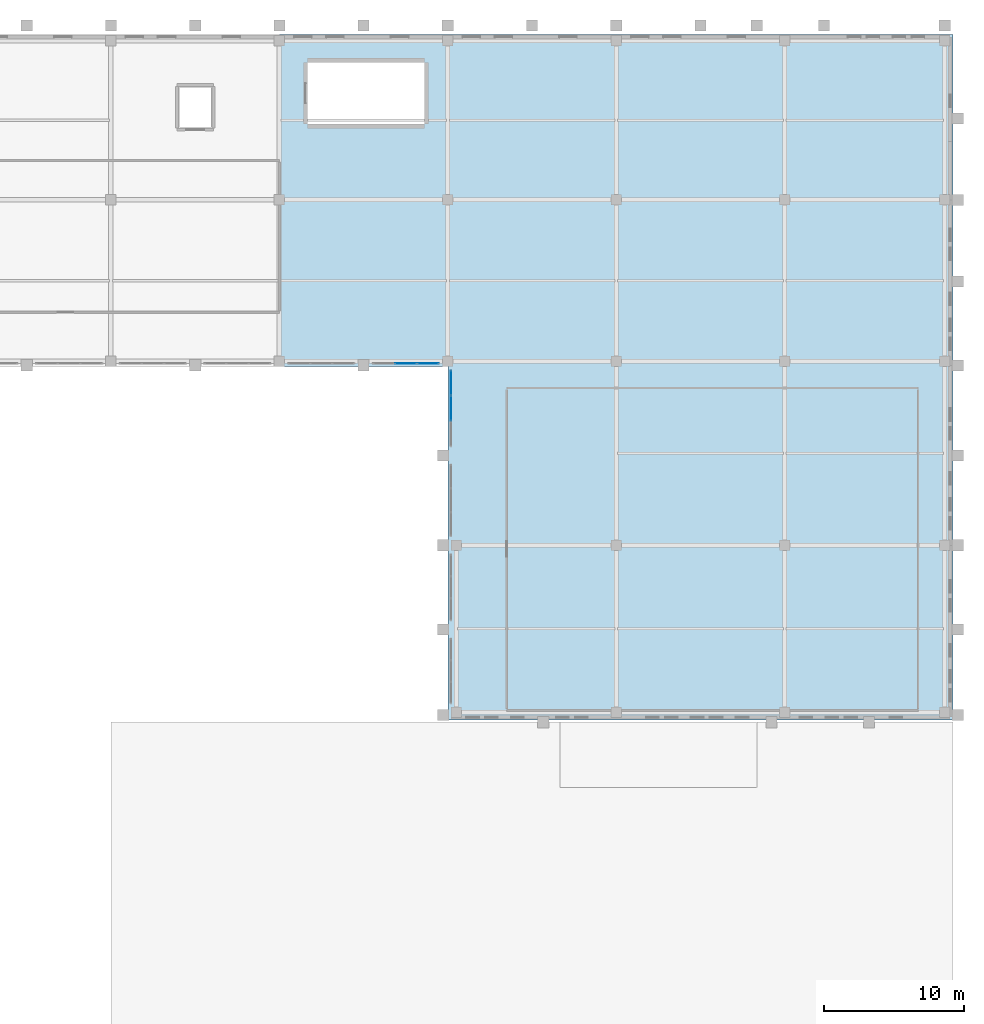
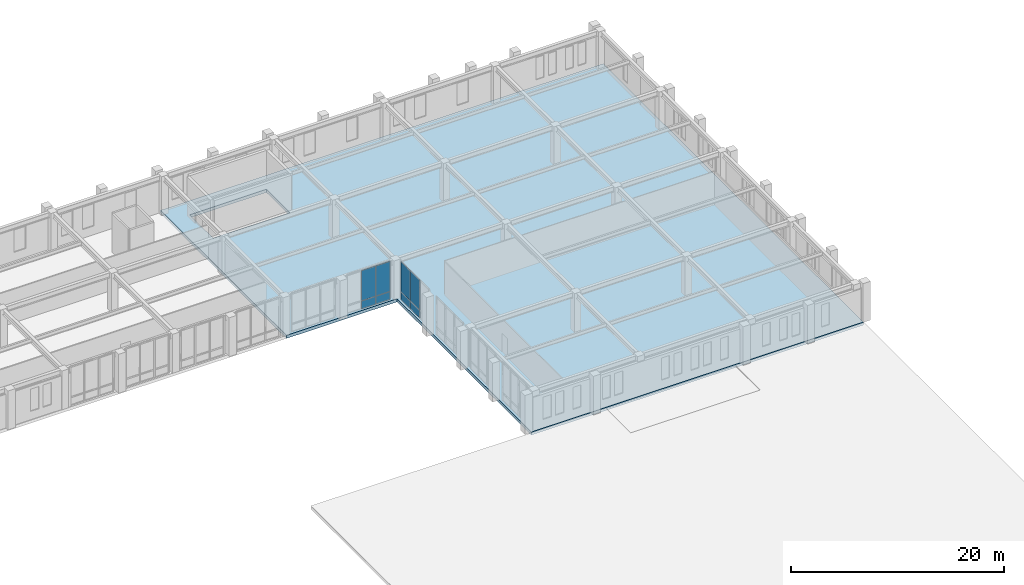
# One storey, part 51 of 79: 8 plates, 1 slab, 2 elements without a shape of their own.
"""IFC4 building model written with IfcOpenShell, lengths in metres."""

from ifc_helpers import new_model, si_unit, derived_unit, direction, frame, origin, origin_2d, place, context, subcontext, project, spatial, polyline, rectangle, outline, extrude, material, layer, layer_set, type_object, element, aggregate, save


model = new_model("IFC4")

# Units and contexts
model_context = context("Model", 3, precision=1e-05, world=origin(), true_north=direction((0.0, 1.0)))
body_context = subcontext(model_context, "Body", "Model", "MODEL_VIEW")
ifc_project = project(units=[si_unit("LENGTHUNIT", "METRE"), si_unit("AREAUNIT", "SQUARE_METRE"), si_unit("VOLUMEUNIT", "CUBIC_METRE"), si_unit("PLANEANGLEUNIT", "RADIAN"), si_unit("MASSUNIT", "GRAM", prefix="KILO"), derived_unit("THERMALTRANSMITTANCEUNIT", [(si_unit("MASSUNIT", "GRAM", prefix="KILO"), 1), (si_unit("TIMEUNIT", "SECOND"), -3), (si_unit("THERMODYNAMICTEMPERATUREUNIT", "KELVIN"), -1)])], contexts=[model_context])

# Site, building, storey
site_placement = place(None, origin())
site = spatial("IfcSite", under=ifc_project, at=site_placement, CompositionType="ELEMENT")
building_placement = place(site_placement, origin())
building = spatial("IfcBuilding", under=site, at=building_placement, Name="Valcora Ridge Arena", CompositionType="ELEMENT")
storey_placement = place(building_placement, frame((0.0, 0.0, 16.199951171875)))
storey = spatial("IfcBuildingStorey", under=building, at=storey_placement, Name="L03", CompositionType="ELEMENT", Elevation=16.199951171875)

# Curtain wall, plates
ifc_material_1 = material(Name="Anodised dark bronze architectural aluminium 6063-T6", Category="aluminium")
ifc_layer_1 = layer(ifc_material_1, 0.14990234375, Name="Anodised dark bronze architectural aluminium 6063-T6")
ifc_layer_set_1 = layer_set([ifc_layer_1], Name="Anodised dark bronze architectural aluminium 6063-T6")
curtain_wall_type_1 = type_object("IfcCurtainWallType", Name="TY-CURTAINWALL-CW-V5-MED-047X45", PredefinedType="NOTDEFINED", material=ifc_layer_set_1)
curtain_wall_1_placement = place(storey_placement, origin())
curtain_wall_1 = element("IfcCurtainWall", 1, at=curtain_wall_1_placement, inside=storey, type_object=curtain_wall_type_1, Name="CW-V5-MED-047X45 CW-0341", PredefinedType="NOTDEFINED")
ifc_material_2 = material(Name="Low-iron solar-control double glazing SHGC 0.28", Category="glass")
ifc_layer_2 = layer(ifc_material_2, 0.028076171875, Name="Low-iron solar-control double glazing SHGC 0.28")
ifc_layer_set_2 = layer_set([ifc_layer_2], Name="Low-iron solar-control double glazing SHGC 0.28")
plate_type_1 = type_object("IfcPlateType", Name="TY-PLT-CWP-1507X0875", PredefinedType="CURTAIN_PANEL", material=ifc_layer_set_2)
plate_1_placement = place(storey_placement, frame((154.58154296875, 108.550048828125, 0.050048828125), z_axis=(0.0, 0.0, 1.0), x_axis=(1.0, 0.0, 0.0)))
plate_1 = element("IfcPlate", 2, at=plate_1_placement, type_object=plate_type_1, Name="CW-0341/P02-00", PredefinedType="CURTAIN_PANEL", context=body_context, shape_type="SweptSolid", body=[
    extrude(rectangle(XDim=1.507080078125, YDim=0.028076171875, at=origin_2d()), origin(), (0.0, 0.0, 1.0), 0.875),
])
ifc_layer_3 = layer(ifc_material_2, 0.028076171875, Name="Low-iron solar-control double glazing SHGC 0.28")
ifc_layer_set_3 = layer_set([ifc_layer_3], Name="Low-iron solar-control double glazing SHGC 0.28")
plate_type_2 = type_object("IfcPlateType", Name="TY-PLT-CWP-1507X3435", PredefinedType="CURTAIN_PANEL", material=ifc_layer_set_3)
plate_2_placement = place(storey_placement, frame((154.58154296875, 108.550048828125, 0.97509765625), z_axis=(0.0, 0.0, 1.0), x_axis=(1.0, 0.0, 0.0)))
plate_2 = element("IfcPlate", 3, at=plate_2_placement, type_object=plate_type_2, Name="CW-0341/P02-01", PredefinedType="CURTAIN_PANEL", context=body_context, shape_type="SweptSolid", body=[
    extrude(rectangle(XDim=1.507080078125, YDim=0.028076171875, at=origin_2d()), origin(), (0.0, 0.0, 1.0), 3.43505859375),
])
ifc_layer_4 = layer(ifc_material_2, 0.028076171875, Name="Low-iron solar-control double glazing SHGC 0.28")
ifc_layer_set_4 = layer_set([ifc_layer_4], Name="Low-iron solar-control double glazing SHGC 0.28")
plate_type_3 = type_object("IfcPlateType", Name="TY-PLT-CWP-1531X0875", PredefinedType="CURTAIN_PANEL", material=ifc_layer_set_4)
plate_3_placement = place(storey_placement, frame((153.012451171875, 108.550048828125, 0.050048828125), z_axis=(0.0, 0.0, 1.0), x_axis=(1.0, 0.0, 0.0)))
plate_3 = element("IfcPlate", 4, at=plate_3_placement, type_object=plate_type_3, Name="CW-0341/P01-00", PredefinedType="CURTAIN_PANEL", context=body_context, shape_type="SweptSolid", body=[
    extrude(rectangle(XDim=1.531005859375, YDim=0.028076171875, at=origin_2d()), origin(), (0.0, 0.0, 1.0), 0.875),
])
ifc_layer_5 = layer(ifc_material_2, 0.028076171875, Name="Low-iron solar-control double glazing SHGC 0.28")
ifc_layer_set_5 = layer_set([ifc_layer_5], Name="Low-iron solar-control double glazing SHGC 0.28")
plate_type_4 = type_object("IfcPlateType", Name="TY-PLT-CWP-1531X3435", PredefinedType="CURTAIN_PANEL", material=ifc_layer_set_5)
plate_4_placement = place(storey_placement, frame((153.012451171875, 108.550048828125, 0.97509765625), z_axis=(0.0, 0.0, 1.0), x_axis=(1.0, 0.0, 0.0)))
plate_4 = element("IfcPlate", 5, at=plate_4_placement, type_object=plate_type_4, Name="CW-0341/P01-01", PredefinedType="CURTAIN_PANEL", context=body_context, shape_type="SweptSolid", body=[
    extrude(rectangle(XDim=1.531005859375, YDim=0.028076171875, at=origin_2d()), origin(), (0.0, 0.0, 1.0), 3.43505859375),
])
aggregate(curtain_wall_1, [plate_3, plate_4, plate_1, plate_2])

ifc_layer_6 = layer(ifc_material_1, 0.14990234375, Name="Anodised dark bronze architectural aluminium 6063-T6")
ifc_layer_set_6 = layer_set([ifc_layer_6], Name="Anodised dark bronze architectural aluminium 6063-T6")
curtain_wall_type_2 = type_object("IfcCurtainWallType", Name="TY-CURTAINWALL-CW-V5-MED-054X45", PredefinedType="NOTDEFINED", material=ifc_layer_set_6)
curtain_wall_2_placement = place(storey_placement, origin())
curtain_wall_2 = element("IfcCurtainWall", 6, at=curtain_wall_2_placement, inside=storey, type_object=curtain_wall_type_2, Name="CW-V5-MED-054X45 CW-0345", PredefinedType="NOTDEFINED")
ifc_layer_7 = layer(ifc_material_2, 0.028076171875, Name="Low-iron solar-control double glazing SHGC 0.28")
ifc_layer_set_7 = layer_set([ifc_layer_7], Name="Low-iron solar-control double glazing SHGC 0.28")
plate_type_5 = type_object("IfcPlateType", Name="TY-PLT-CWP-1740X0875", PredefinedType="CURTAIN_PANEL", material=ifc_layer_set_7)
plate_5_placement = place(storey_placement, frame((156.219970703125, 107.1650390625, 0.050048828125), z_axis=(0.0, 0.0, 1.0), x_axis=(0.0, 1.0, 0.0)))
plate_5 = element("IfcPlate", 7, at=plate_5_placement, type_object=plate_type_5, Name="CW-0345/P02-00", PredefinedType="CURTAIN_PANEL", context=body_context, shape_type="SweptSolid", body=[
    extrude(rectangle(XDim=1.739990234375, YDim=0.028076171875, at=origin_2d()), origin(), (0.0, 0.0, 1.0), 0.875),
])
ifc_layer_8 = layer(ifc_material_2, 0.028076171875, Name="Low-iron solar-control double glazing SHGC 0.28")
ifc_layer_set_8 = layer_set([ifc_layer_8], Name="Low-iron solar-control double glazing SHGC 0.28")
plate_type_6 = type_object("IfcPlateType", Name="TY-PLT-CWP-1740X3435", PredefinedType="CURTAIN_PANEL", material=ifc_layer_set_8)
plate_6_placement = place(storey_placement, frame((156.219970703125, 107.1650390625, 0.97509765625), z_axis=(0.0, 0.0, 1.0), x_axis=(0.0, 1.0, 0.0)))
plate_6 = element("IfcPlate", 8, at=plate_6_placement, type_object=plate_type_6, Name="CW-0345/P02-01", PredefinedType="CURTAIN_PANEL", context=body_context, shape_type="SweptSolid", body=[
    extrude(rectangle(XDim=1.739990234375, YDim=0.028076171875, at=origin_2d()), origin(), (0.0, 0.0, 1.0), 3.43505859375),
])
ifc_layer_9 = layer(ifc_material_2, 0.028076171875, Name="Low-iron solar-control double glazing SHGC 0.28")
ifc_layer_set_9 = layer_set([ifc_layer_9], Name="Low-iron solar-control double glazing SHGC 0.28")
plate_type_7 = type_object("IfcPlateType", Name="TY-PLT-CWP-1765X0875", PredefinedType="CURTAIN_PANEL", material=ifc_layer_set_9)
plate_7_placement = place(storey_placement, frame((156.219970703125, 105.362548828125, 0.050048828125), z_axis=(0.0, 0.0, 1.0), x_axis=(0.0, 1.0, 0.0)))
plate_7 = element("IfcPlate", 9, at=plate_7_placement, type_object=plate_type_7, Name="CW-0345/P01-00", PredefinedType="CURTAIN_PANEL", context=body_context, shape_type="SweptSolid", body=[
    extrude(rectangle(XDim=1.764892578125, YDim=0.028076171875, at=origin_2d()), origin(), (0.0, 0.0, 1.0), 0.875),
])
ifc_layer_10 = layer(ifc_material_2, 0.028076171875, Name="Low-iron solar-control double glazing SHGC 0.28")
ifc_layer_set_10 = layer_set([ifc_layer_10], Name="Low-iron solar-control double glazing SHGC 0.28")
plate_type_8 = type_object("IfcPlateType", Name="TY-PLT-CWP-1765X3435", PredefinedType="CURTAIN_PANEL", material=ifc_layer_set_10)
plate_8_placement = place(storey_placement, frame((156.219970703125, 105.362548828125, 0.97509765625), z_axis=(0.0, 0.0, 1.0), x_axis=(0.0, 1.0, 0.0)))
plate_8 = element("IfcPlate", 10, at=plate_8_placement, type_object=plate_type_8, Name="CW-0345/P01-01", PredefinedType="CURTAIN_PANEL", context=body_context, shape_type="SweptSolid", body=[
    extrude(rectangle(XDim=1.764892578125, YDim=0.028076171875, at=origin_2d()), origin(), (0.0, 0.0, 1.0), 3.43505859375),
])
aggregate(curtain_wall_2, [plate_7, plate_8, plate_5, plate_6])

# Slab
ifc_material_3 = material(Name="Concrete C40/50", Category="concrete")
ifc_layer_11 = layer(ifc_material_3, 0.35009765625, Name="Concrete C40/50")
ifc_layer_set_11 = layer_set([ifc_layer_11], Name="Concrete C40/50")
slab_type = type_object("IfcSlabType", Name="TY-SLAB-SL-V5-350-E", PredefinedType="FLOOR", material=ifc_layer_set_11)
slab_placement = place(storey_placement, frame((0.0, 0.0, -0.349853515625)))
element("IfcSlab", 11, at=slab_placement, inside=storey, type_object=slab_type, Name="SL-V5-350-E SLB-0078", PredefinedType="FLOOR", context=body_context, shape_type="SweptSolid", body=[
    extrude(outline(polyline([(156.0, 108.35009765625), (156.0, 83.14990234375), (192.0, 83.14990234375), (192.0, 132.0), (144.0, 132.0), (144.0, 108.35009765625), (156.0, 108.35009765625)]), holes=[polyline([(154.320068359375, 130.0), (146.0, 130.0), (146.0, 125.60009765625), (154.320068359375, 125.60009765625), (154.320068359375, 130.0)])]), origin(), (0.0, 0.0, 1.0), 0.349853515625),
])

save(model, "model.ifc")
